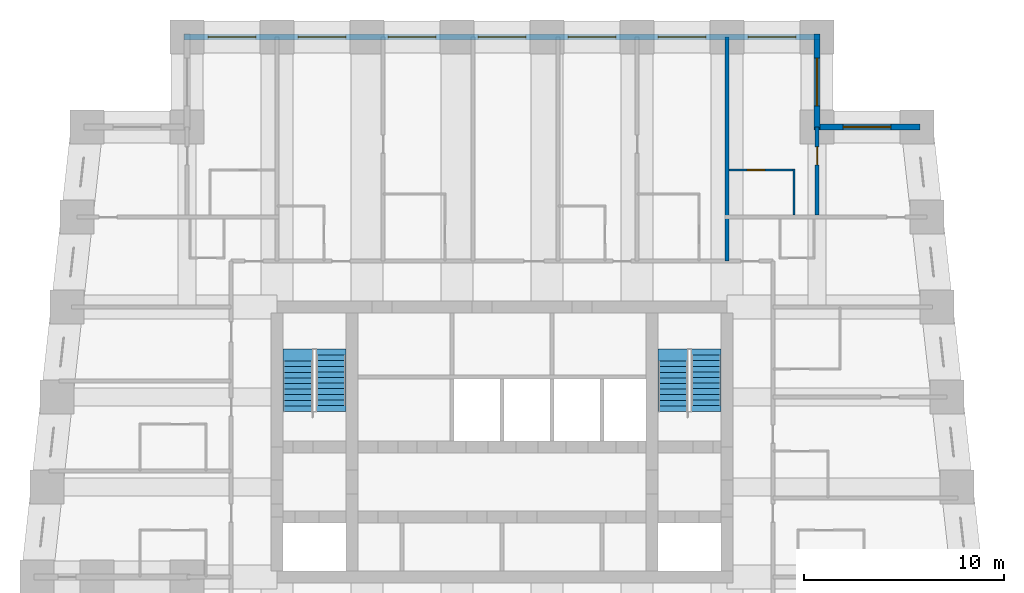
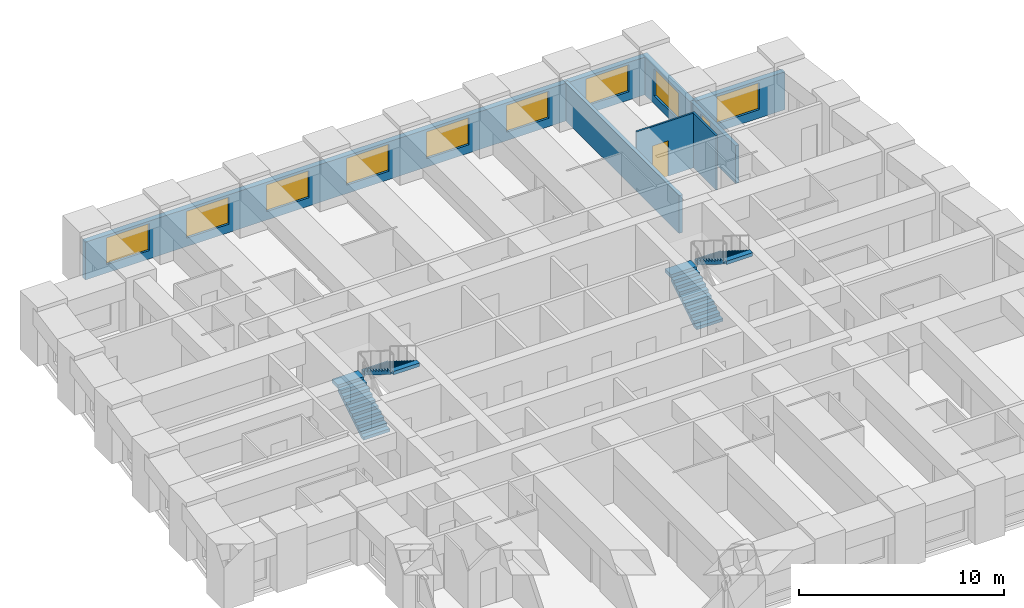
# One storey, part 7 of 8: 9 windows, 7 walls, 4 stair flights, 2 doors, 11 openings, 2 elements without a shape of their own.
"""IFC4 building model written with IfcOpenShell, lengths in metres."""

import ifcopenshell
import ifcopenshell.guid

model = None  # the IFC model being written
_history = None  # IfcOwnerHistory: only IFC2X3 demands one
_inside = {}  # id of a spatial element -> (the spatial element, [elements in it])
_under = {}  # id of a project, library or spatial element -> (it, [spatial elements below it])
_declared = {}  # id of a project -> (the project, [libraries it declares])
_typed = {}  # id of a type object -> (the type object, [elements of that type])
_made_of = {}  # id of a material, layer set ... -> (it, [elements and type objects made of it])


def new_model(schema):
    """Start an empty IFC model of exactly this schema.

    Asked for "IFC4X3", IfcOpenShell would pick the latest addendum, in which some entities
    have other attributes; the version numbers below select the first issue.
    IFC2X3 requires an IfcOwnerHistory on every rooted entity: one is made here for all.
    """
    global model, _history
    if schema == "IFC4X3":
        model = ifcopenshell.file(schema_version=(4, 3, 0, 0))
    else:
        model = ifcopenshell.file(schema=schema)
    _inside.clear()
    _under.clear()
    _declared.clear()
    _typed.clear()
    _made_of.clear()
    _history = None
    if model.schema == "IFC2X3":
        org = make("IfcOrganization", Name="unknown")
        user = make(
            "IfcPersonAndOrganization",
            ThePerson=make("IfcPerson", FamilyName="unknown"),
            TheOrganization=org,
        )
        app = make(
            "IfcApplication",
            ApplicationDeveloper=org,
            Version="unknown",
            ApplicationFullName="unknown",
            ApplicationIdentifier="unknown",
        )
        _history = make(
            "IfcOwnerHistory",
            OwningUser=user,
            OwningApplication=app,
            ChangeAction="ADDED",
            CreationDate=0,
        )
    return model


def make(cls, **values):
    """One entity of the class cls with the attributes given. An attribute that is None is left unset."""
    return model.create_entity(
        cls, **{name: value for name, value in values.items() if value is not None}
    )


def rooted(cls, **values):
    """An entity with a GlobalId (a new one), such as an element, a storey or a relation."""
    return make(cls, GlobalId=ifcopenshell.guid.new(), OwnerHistory=_history, **values)


def si_unit(unit_type, name, prefix=None):
    """IfcSIUnit, for example si_unit("LENGTHUNIT", "METRE", prefix="MILLI")."""
    return make("IfcSIUnit", UnitType=unit_type, Prefix=prefix, Name=name)


def assignment(units):
    """IfcUnitAssignment: the units of a project."""
    return None if units is None else make("IfcUnitAssignment", Units=units)


def point(xyz):
    """IfcCartesianPoint."""
    return None if xyz is None else make("IfcCartesianPoint", Coordinates=xyz)


def direction(xyz):
    """IfcDirection."""
    return None if xyz is None else make("IfcDirection", DirectionRatios=xyz)


def frame(location, z_axis=None, x_axis=None):
    """IfcAxis2Placement3D, a coordinate frame: its origin and axes. An axis left out is left unset."""
    return make(
        "IfcAxis2Placement3D",
        Location=point(location),
        Axis=direction(z_axis),
        RefDirection=direction(x_axis),
    )


def frame_2d(location, x_axis=None):
    """IfcAxis2Placement2D, a coordinate frame in the plane: its origin and x axis."""
    return make(
        "IfcAxis2Placement2D", Location=point(location), RefDirection=direction(x_axis)
    )


def origin():
    """The frame at (0, 0, 0) with its axes left unset."""
    return frame((0.0, 0.0, 0.0))


def place(relative_to, where):
    """IfcLocalPlacement: puts the frame where relative to a parent placement (None: the world)."""
    return make(
        "IfcLocalPlacement", PlacementRelTo=relative_to, RelativePlacement=where
    )


def context(
    kind, dimensions, precision=None, world=None, true_north=None, identifier=None
):
    """IfcGeometricRepresentationContext, for example the 3D "Model" context."""
    return make(
        "IfcGeometricRepresentationContext",
        ContextIdentifier=identifier,
        ContextType=kind,
        CoordinateSpaceDimension=dimensions,
        Precision=precision,
        WorldCoordinateSystem=world,
        TrueNorth=true_north,
    )


def subcontext(parent, identifier, kind, view, scale=None):
    """IfcGeometricRepresentationSubContext, for example "Body" below "Model"."""
    return make(
        "IfcGeometricRepresentationSubContext",
        ContextIdentifier=identifier,
        ContextType=kind,
        ParentContext=parent,
        TargetScale=scale,
        TargetView=view,
    )


def project(units=None, contexts=None):
    """IfcProject with its units and contexts."""
    return rooted(
        "IfcProject",
        Name="project",
        RepresentationContexts=contexts,
        UnitsInContext=assignment(units),
    )


def spatial(cls, under=None, at=None, **own):
    """A site, building, storey or space (cls), placed at a placement, below another one or the project."""
    s = rooted(cls, ObjectPlacement=at, **own)
    if under is not None:
        _under.setdefault(under.id(), (under, []))[1].append(s)
    return s


def polyline(points):
    """IfcPolyline through the points."""
    return make("IfcPolyline", Points=[point(p) for p in points])


def profile(cls, at=None, kind="AREA", **sizes):
    """A parametric profile (cls). Its sizes go by their IFC names, for example OverallWidth=200.0."""
    return make(cls, ProfileType=kind, Position=at, **sizes)


def rectangle(**sizes):
    """IfcRectangleProfileDef."""
    return profile("IfcRectangleProfileDef", **sizes)


def outline(outer, holes=None, kind="AREA"):
    """IfcArbitraryClosedProfileDef: a profile drawn as a closed curve; with holes, ...WithVoids."""
    if holes is None:
        return make("IfcArbitraryClosedProfileDef", ProfileType=kind, OuterCurve=outer)
    return make(
        "IfcArbitraryProfileDefWithVoids",
        ProfileType=kind,
        OuterCurve=outer,
        InnerCurves=holes,
    )


def extrude(swept, where, along, depth):
    """IfcExtrudedAreaSolid: the profile swept, set in the frame where, extruded along a direction by depth."""
    return make(
        "IfcExtrudedAreaSolid",
        SweptArea=swept,
        Position=where,
        ExtrudedDirection=direction(along),
        Depth=depth,
    )


def shape(context_of_items, identifier, shape_type, items):
    """IfcShapeRepresentation: the items that make up one representation, for example the "Body"."""
    return make(
        "IfcShapeRepresentation",
        ContextOfItems=context_of_items,
        RepresentationIdentifier=identifier,
        RepresentationType=shape_type,
        Items=items,
    )


def material(Name=None, Category=None):
    """IfcMaterial."""
    return make("IfcMaterial", Name=Name, Category=Category)


def layer(
    of_material, thickness, ventilated=None, Name=None, Category=None, Priority=None
):
    """IfcMaterialLayer: one layer of a wall or slab, of a material (None: an air gap)."""
    return make(
        "IfcMaterialLayer",
        Material=of_material,
        LayerThickness=thickness,
        IsVentilated=ventilated,
        Name=Name,
        Category=Category,
        Priority=Priority,
    )


def layer_set(layers, Name=None):
    """IfcMaterialLayerSet."""
    return make("IfcMaterialLayerSet", MaterialLayers=layers, LayerSetName=Name)


def made_of(thing, what):
    """Note that an element or type object is made of a material, layer set ...; save() writes the relation."""
    if what is not None:
        _made_of.setdefault(what.id(), (what, []))[1].append(thing)
    return thing


def type_object(cls, material=None, **own):
    """A type object (cls), such as IfcWallType, which elements share."""
    return made_of(rooted(cls, **own), material)


def element(
    cls,
    number,
    at=None,
    inside=None,
    cuts=None,
    type_object=None,
    material=None,
    context=None,
    identifier="Body",
    shape_type=None,
    held_by="IfcProductDefinitionShape",
    body=None,
    shapes=None,
    **own,
):
    """One element of the class cls, such as IfcWall. Its Tag is "e" and its number.

    at: its placement. inside: the storey or other place that contains it. cuts: it is an
    opening in that element (IfcRelVoidsElement). A single representation is given by context,
    identifier, shape_type and body (its items); several are given by shapes. held_by: the class
    of the entity that holds the representations. save() writes the other relations.
    """
    e = rooted(cls, Tag="e%d" % number, ObjectPlacement=at, **own)
    if body is not None:
        shapes = [shape(context, identifier, shape_type, body)]
    if shapes is not None:
        e.Representation = make(held_by, Representations=shapes)
    if inside is not None:
        _inside.setdefault(inside.id(), (inside, []))[1].append(e)
    if cuts is not None:
        rooted(
            "IfcRelVoidsElement", RelatingBuildingElement=cuts, RelatedOpeningElement=e
        )
    if type_object is not None:
        _typed.setdefault(type_object.id(), (type_object, []))[1].append(e)
    return made_of(e, material)


def fill(opening, filler):
    """IfcRelFillsElement: the door or window that sits in an opening."""
    return rooted(
        "IfcRelFillsElement",
        RelatingOpeningElement=opening,
        RelatedBuildingElement=filler,
    )


def aggregate(whole, parts):
    """IfcRelAggregates: a whole, such as a stair, and the parts it consists of."""
    return rooted("IfcRelAggregates", RelatingObject=whole, RelatedObjects=parts)


def save(model, path):
    """Write the relations noted so far, then the file.

    IfcRelAggregates (storeys below a building ...), IfcRelContainedInSpatialStructure (elements
    in a storey), IfcRelDefinesByType, IfcRelAssociatesMaterial and IfcRelDeclares: one each for
    every whole, place, type object, material and project.
    """
    for whole, parts in _under.values():
        aggregate(whole, parts)
    for where, things in _inside.values():
        rooted(
            "IfcRelContainedInSpatialStructure",
            RelatedElements=things,
            RelatingStructure=where,
        )
    for kind, things in _typed.values():
        rooted("IfcRelDefinesByType", RelatedObjects=things, RelatingType=kind)
    for what, things in _made_of.values():
        rooted("IfcRelAssociatesMaterial", RelatedObjects=things, RelatingMaterial=what)
    for by, libraries in _declared.values():
        rooted("IfcRelDeclares", RelatingContext=by, RelatedDefinitions=libraries)
    model.write(path)


model = new_model("IFC4")

# Units and contexts
model_context = context("Model", 3, precision=1e-05, world=origin(), true_north=direction((0.0, 1.0)))
body_context = subcontext(model_context, "Body", "Model", "MODEL_VIEW")
ifc_project = project(units=[si_unit("LENGTHUNIT", "METRE"), si_unit("AREAUNIT", "SQUARE_METRE"), si_unit("VOLUMEUNIT", "CUBIC_METRE"), si_unit("PLANEANGLEUNIT", "RADIAN"), si_unit("MASSUNIT", "GRAM", prefix="KILO")], contexts=[model_context])

# Site, building, storey
site_placement = place(None, origin())
site = spatial("IfcSite", under=ifc_project, at=site_placement, CompositionType="ELEMENT")
building_placement = place(site_placement, origin())
building = spatial("IfcBuilding", under=site, at=building_placement, Name="Kilele Tower Hotel", CompositionType="ELEMENT")
storey_placement = place(building_placement, frame((0.0, 0.0, 200.89990234375)))
storey = spatial("IfcBuildingStorey", under=building, at=storey_placement, Name="L52", CompositionType="ELEMENT", Elevation=200.89990234375)

# Wall
ifc_material_1 = material(Name="Moisture-resistant board")
ifc_layer_1 = layer(ifc_material_1, 0.10009765625)
ifc_layer_set_1 = layer_set([ifc_layer_1], Name="Moisture-resistant board")
wall_type_1 = type_object("IfcWallType", Name="Bathroom partition 100", PredefinedType="PLUMBINGWALL", material=ifc_layer_set_1)
wall_1_placement = place(storey_placement, frame((39.35009765625, 31.60009765625, 0.0), z_axis=(0.0, 0.0, 1.0), x_axis=(0.0, 1.0, 0.0)))
element("IfcWall", 1, at=wall_1_placement, inside=storey, type_object=wall_type_1, Name="Bathroom partition 100 L52", PredefinedType="PLUMBINGWALL", context=body_context, shape_type="SweptSolid", body=[
    extrude(rectangle(XDim=2.2998046875, YDim=0.10009765625, at=frame_2d((1.14990234375, 0.0))), origin(), (0.0, 0.0, 1.0), 3.25),
])

# Wall, opening, door
wall_2_placement = place(storey_placement, frame((36.10009765625, 33.85009765625, 0.0), z_axis=(0.0, 0.0, 1.0), x_axis=(1.0, 0.0, 0.0)))
wall_2 = element("IfcWall", 2, at=wall_2_placement, inside=storey, type_object=wall_type_1, Name="Bathroom partition 100 L52", PredefinedType="PLUMBINGWALL", context=body_context, shape_type="SweptSolid", body=[
    extrude(rectangle(XDim=3.2998046875, YDim=0.10009765625, at=frame_2d((1.64990234375, 0.0))), origin(), (0.0, 0.0, 1.0), 3.25),
])
opening_1_placement = place(wall_2_placement, frame((0.89990234375, 0.0, 0.0)))
opening_1 = element("IfcOpeningElement", 3, at=opening_1_placement, cuts=wall_2, Name="Opening D2A", PredefinedType="OPENING", context=body_context, shape_type="SweptSolid", body=[
    extrude(rectangle(XDim=0.89990234375, YDim=2.10009765625, at=frame_2d((0.449951171875, 1.050048828125))), frame((0.0, 0.06005859375, 0.0), z_axis=(0.0, -1.0, 0.0), x_axis=(1.0, 0.0, 0.0)), (0.0, 0.0, 1.0), 0.1201171875),
])
ifc_material_2 = material(Name="Timber door leaf in hardwood frame", Category="wood")
door_type_1 = type_object("IfcDoorType", Name="Bathroom door 900", OperationType="SINGLE_SWING_LEFT", PredefinedType="DOOR", material=ifc_material_2)
door_1_placement = place(opening_1_placement, origin())
door_1 = element("IfcDoor", 4, at=door_1_placement, inside=storey, type_object=door_type_1, Name="Bathroom door 5223B", OperationType="SINGLE_SWING_LEFT", OverallHeight=2.10009765625, OverallWidth=0.89990234375, PredefinedType="DOOR", context=body_context, shape_type="SweptSolid", body=[
    extrude(rectangle(XDim=0.89990234375, YDim=2.10009765625, at=frame_2d((0.449951171875, 1.050048828125))), frame((0.0, 0.02490234375, 0.0), z_axis=(0.0, -1.0, 0.0), x_axis=(1.0, 0.0, 0.0)), (0.0, 0.0, 1.0), 0.050048828125),
])
fill(opening_1, door_1)

ifc_material_3 = material(Name="Blockwork, plastered both sides", Category="masonry")
ifc_layer_2 = layer(ifc_material_3, 0.199951171875)
ifc_layer_set_2 = layer_set([ifc_layer_2], Name="Blockwork, plastered both sides")
wall_type_2 = type_object("IfcWallType", Name="Partition wall 200", PredefinedType="PARTITIONING", material=ifc_layer_set_2)
wall_3_placement = place(storey_placement, frame((40.5, 31.60009765625, 0.0), z_axis=(0.0, 0.0, 1.0), x_axis=(0.0, 1.0, 0.0)))
wall_3 = element("IfcWall", 5, at=wall_3_placement, inside=storey, type_object=wall_type_2, Name="Partition wall 200 L52", PredefinedType="PARTITIONING", context=body_context, shape_type="SweptSolid", body=[
    extrude(rectangle(XDim=4.39990234375, YDim=0.199951171875, at=frame_2d((2.199951171875, 0.0))), origin(), (0.0, 0.0, 1.0), 2.25),
])
opening_2_placement = place(wall_3_placement, frame((2.5, 0.0, 0.0)))
opening_2 = element("IfcOpeningElement", 6, at=opening_2_placement, cuts=wall_3, Name="Opening D3", PredefinedType="OPENING", context=body_context, shape_type="SweptSolid", body=[
    extrude(rectangle(XDim=0.89990234375, YDim=2.10009765625, at=frame_2d((0.449951171875, 1.050048828125))), frame((0.0, 0.10986328125, 0.0), z_axis=(0.0, -1.0, 0.0), x_axis=(1.0, 0.0, 0.0)), (0.0, 0.0, 1.0), 0.219970703125),
])
ifc_material_4 = material(Name="Timber door leaf in hardwood frame", Category="wood")
door_type_2 = type_object("IfcDoorType", Name="Suite internal door 900", OperationType="SINGLE_SWING_LEFT", PredefinedType="DOOR", material=ifc_material_4)
door_2_placement = place(opening_2_placement, origin())
door_2 = element("IfcDoor", 7, at=door_2_placement, inside=storey, type_object=door_type_2, Name="Suite door 5224", OperationType="SINGLE_SWING_RIGHT", OverallHeight=2.10009765625, OverallWidth=0.89990234375, PredefinedType="DOOR", context=body_context, shape_type="SweptSolid", body=[
    extrude(rectangle(XDim=0.89990234375, YDim=2.10009765625, at=frame_2d((0.449951171875, 1.050048828125))), frame((0.0, 0.02490234375, 0.0), z_axis=(0.0, -1.0, 0.0), x_axis=(1.0, 0.0, 0.0)), (0.0, 0.0, 1.0), 0.050048828125),
])
fill(opening_2, door_2)

# Wall
ifc_material_5 = material(Name="Blockwork, plastered both sides", Category="masonry")
ifc_layer_3 = layer(ifc_material_5, 0.199951171875)
ifc_layer_set_3 = layer_set([ifc_layer_3], Name="Blockwork, plastered both sides")
wall_type_3 = type_object("IfcWallType", Name="Party wall 200", PredefinedType="PARTITIONING", material=ifc_layer_set_3)
wall_4_placement = place(storey_placement, frame((36.0, 29.300048828125, 0.0), z_axis=(0.0, 0.0, 1.0), x_axis=(0.0, 1.0, 0.0)))
element("IfcWall", 8, at=wall_4_placement, inside=storey, type_object=wall_type_3, Name="Party wall 200 L52", PredefinedType="PARTITIONING", context=body_context, shape_type="SweptSolid", body=[
    extrude(rectangle(XDim=11.199951171875, YDim=0.199951171875, at=frame_2d((5.60009765625, 0.0))), origin(), (0.0, 0.0, 1.0), 2.25),
])

# Wall, opening, window
ifc_material_6 = material(Name="Concrete C40/50 precast", Category="concrete")
ifc_layer_4 = layer(ifc_material_6, 0.260009765625, Name="Precast backing", Category="LoadBearing")
ifc_material_7 = material(Name="Reconstituted stone finish", Category="masonry")
ifc_layer_5 = layer(ifc_material_7, 0.0400390625, Name="Face mix", Category="Finish")
ifc_layer_set_4 = layer_set([ifc_layer_4, ifc_layer_5], Name="Precast concrete C40/50, reconstituted stone finish")
wall_type_4 = type_object("IfcWallType", Name="Precast stone facade wall 300", PredefinedType="STANDARD", material=ifc_layer_set_4)
wall_5_placement = place(storey_placement, frame((45.64990234375, 36.0, 0.0), z_axis=(0.0, 0.0, 1.0), x_axis=(-1.0, 0.0, 0.0)))
wall_5 = element("IfcWall", 9, at=wall_5_placement, inside=storey, type_object=wall_type_4, Name="Facade wall L52 edge 7", PredefinedType="STANDARD", context=body_context, shape_type="SweptSolid", body=[
    extrude(rectangle(XDim=5.2998046875, YDim=0.300048828125, at=frame_2d((2.64990234375, 0.0))), origin(), (0.0, 0.0, 1.0), 2.25),
])
opening_3_placement = place(wall_5_placement, frame((1.449951171875, 0.0, 0.5)))
opening_3 = element("IfcOpeningElement", 10, at=opening_3_placement, cuts=wall_5, Name="Opening W3", PredefinedType="OPENING", context=body_context, shape_type="SweptSolid", body=[
    extrude(rectangle(XDim=2.39990234375, YDim=1.60009765625, at=frame_2d((1.199951171875, 0.800048828125))), frame((0.0, 0.159912109375, 0.0), z_axis=(0.0, -1.0, 0.0), x_axis=(1.0, 0.0, 0.0)), (0.0, 0.0, 1.0), 0.320068359375),
])
ifc_material_8 = material(Name="Aluminium frame, clear double glazing", Category="aluminium")
window_type = type_object("IfcWindowType", Name="Window W3 2400 x 1600", PartitioningType="SINGLE_PANEL", PredefinedType="WINDOW", material=ifc_material_8)
window_1_placement = place(opening_3_placement, origin())
window_1 = element("IfcWindow", 11, at=window_1_placement, inside=storey, type_object=window_type, Name="Window L52", OverallHeight=1.60009765625, OverallWidth=2.39990234375, PartitioningType="SINGLE_PANEL", PredefinedType="WINDOW", context=body_context, shape_type="SweptSolid", body=[
    extrude(rectangle(XDim=2.39990234375, YDim=1.60009765625, at=frame_2d((1.199951171875, 0.800048828125))), frame((0.0, 0.030029296875, 0.0), z_axis=(0.0, -1.0, 0.0), x_axis=(1.0, 0.0, 0.0)), (0.0, 0.0, 1.0), 0.06005859375),
])
fill(opening_3, window_1)

wall_6_placement = place(storey_placement, frame((40.5, 35.85009765625, 0.0), z_axis=(0.0, 0.0, 1.0), x_axis=(0.0, 1.0, 0.0)))
wall_6 = element("IfcWall", 12, at=wall_6_placement, inside=storey, type_object=wall_type_4, Name="Facade wall L52 edge 8", PredefinedType="STANDARD", context=body_context, shape_type="SweptSolid", body=[
    extrude(rectangle(XDim=4.7998046875, YDim=0.300048828125, at=frame_2d((2.39990234375, 0.0))), origin(), (0.0, 0.0, 1.0), 2.25),
])
opening_4_placement = place(wall_6_placement, frame((1.199951171875, 0.0, 0.5)))
opening_4 = element("IfcOpeningElement", 13, at=opening_4_placement, cuts=wall_6, Name="Opening W3", PredefinedType="OPENING", context=body_context, shape_type="SweptSolid", body=[
    extrude(rectangle(XDim=2.39990234375, YDim=1.60009765625, at=frame_2d((1.199951171875, 0.800048828125))), frame((0.0, 0.159912109375, 0.0), z_axis=(0.0, -1.0, 0.0), x_axis=(1.0, 0.0, 0.0)), (0.0, 0.0, 1.0), 0.320068359375),
])
window_2_placement = place(opening_4_placement, origin())
window_2 = element("IfcWindow", 14, at=window_2_placement, inside=storey, type_object=window_type, Name="Window L52", OverallHeight=1.60009765625, OverallWidth=2.39990234375, PartitioningType="SINGLE_PANEL", PredefinedType="WINDOW", context=body_context, shape_type="SweptSolid", body=[
    extrude(rectangle(XDim=2.39990234375, YDim=1.60009765625, at=frame_2d((1.199951171875, 0.800048828125))), frame((0.0, 0.030029296875, 0.0), z_axis=(0.0, -1.0, 0.0), x_axis=(1.0, 0.0, 0.0)), (0.0, 0.0, 1.0), 0.06005859375),
])
fill(opening_4, window_2)

# Wall, openings, windows
wall_7_placement = place(storey_placement, frame((40.64990234375, 40.5, 0.0), z_axis=(0.0, 0.0, 1.0), x_axis=(-1.0, 0.0, 0.0)))
wall_7 = element("IfcWall", 15, at=wall_7_placement, inside=storey, type_object=wall_type_4, Name="Facade wall L52 edge 9", PredefinedType="STANDARD", context=body_context, shape_type="SweptSolid", body=[
    extrude(rectangle(XDim=31.7998046875, YDim=0.300048828125, at=frame_2d((15.89990234375, 0.0))), origin(), (0.0, 0.0, 1.0), 2.25),
])
opening_5_placement = place(wall_7_placement, frame((1.199951171875, 0.0, 0.5)))
opening_5 = element("IfcOpeningElement", 16, at=opening_5_placement, cuts=wall_7, Name="Opening W3", PredefinedType="OPENING", context=body_context, shape_type="SweptSolid", body=[
    extrude(rectangle(XDim=2.39990234375, YDim=1.60009765625, at=frame_2d((1.199951171875, 0.800048828125))), frame((0.0, 0.159912109375, 0.0), z_axis=(0.0, -1.0, 0.0), x_axis=(1.0, 0.0, 0.0)), (0.0, 0.0, 1.0), 0.320068359375),
])
opening_6_placement = place(wall_7_placement, frame((5.699951171875, 0.0, 0.5)))
opening_6 = element("IfcOpeningElement", 17, at=opening_6_placement, cuts=wall_7, Name="Opening W3", PredefinedType="OPENING", context=body_context, shape_type="SweptSolid", body=[
    extrude(rectangle(XDim=2.39990234375, YDim=1.60009765625, at=frame_2d((1.199951171875, 0.800048828125))), frame((0.0, 0.159912109375, 0.0), z_axis=(0.0, -1.0, 0.0), x_axis=(1.0, 0.0, 0.0)), (0.0, 0.0, 1.0), 0.320068359375),
])
opening_7_placement = place(wall_7_placement, frame((10.199951171875, 0.0, 0.5)))
opening_7 = element("IfcOpeningElement", 18, at=opening_7_placement, cuts=wall_7, Name="Opening W3", PredefinedType="OPENING", context=body_context, shape_type="SweptSolid", body=[
    extrude(rectangle(XDim=2.39990234375, YDim=1.60009765625, at=frame_2d((1.199951171875, 0.800048828125))), frame((0.0, 0.159912109375, 0.0), z_axis=(0.0, -1.0, 0.0), x_axis=(1.0, 0.0, 0.0)), (0.0, 0.0, 1.0), 0.320068359375),
])
opening_8_placement = place(wall_7_placement, frame((14.699951171875, 0.0, 0.5)))
opening_8 = element("IfcOpeningElement", 19, at=opening_8_placement, cuts=wall_7, Name="Opening W3", PredefinedType="OPENING", context=body_context, shape_type="SweptSolid", body=[
    extrude(rectangle(XDim=2.39990234375, YDim=1.60009765625, at=frame_2d((1.199951171875, 0.800048828125))), frame((0.0, 0.159912109375, 0.0), z_axis=(0.0, -1.0, 0.0), x_axis=(1.0, 0.0, 0.0)), (0.0, 0.0, 1.0), 0.320068359375),
])
opening_9_placement = place(wall_7_placement, frame((19.199951171875, 0.0, 0.5)))
opening_9 = element("IfcOpeningElement", 20, at=opening_9_placement, cuts=wall_7, Name="Opening W3", PredefinedType="OPENING", context=body_context, shape_type="SweptSolid", body=[
    extrude(rectangle(XDim=2.39990234375, YDim=1.60009765625, at=frame_2d((1.199951171875, 0.800048828125))), frame((0.0, 0.159912109375, 0.0), z_axis=(0.0, -1.0, 0.0), x_axis=(1.0, 0.0, 0.0)), (0.0, 0.0, 1.0), 0.320068359375),
])
opening_10_placement = place(wall_7_placement, frame((23.699951171875, 0.0, 0.5)))
opening_10 = element("IfcOpeningElement", 21, at=opening_10_placement, cuts=wall_7, Name="Opening W3", PredefinedType="OPENING", context=body_context, shape_type="SweptSolid", body=[
    extrude(rectangle(XDim=2.39990234375, YDim=1.60009765625, at=frame_2d((1.199951171875, 0.800048828125))), frame((0.0, 0.159912109375, 0.0), z_axis=(0.0, -1.0, 0.0), x_axis=(1.0, 0.0, 0.0)), (0.0, 0.0, 1.0), 0.320068359375),
])
opening_11_placement = place(wall_7_placement, frame((28.199951171875, 0.0, 0.5)))
opening_11 = element("IfcOpeningElement", 22, at=opening_11_placement, cuts=wall_7, Name="Opening W3", PredefinedType="OPENING", context=body_context, shape_type="SweptSolid", body=[
    extrude(rectangle(XDim=2.39990234375, YDim=1.60009765625, at=frame_2d((1.199951171875, 0.800048828125))), frame((0.0, 0.159912109375, 0.0), z_axis=(0.0, -1.0, 0.0), x_axis=(1.0, 0.0, 0.0)), (0.0, 0.0, 1.0), 0.320068359375),
])
window_3_placement = place(opening_5_placement, origin())
window_3 = element("IfcWindow", 23, at=window_3_placement, inside=storey, type_object=window_type, Name="Window L52", OverallHeight=1.60009765625, OverallWidth=2.39990234375, PartitioningType="SINGLE_PANEL", PredefinedType="WINDOW", context=body_context, shape_type="SweptSolid", body=[
    extrude(rectangle(XDim=2.39990234375, YDim=1.60009765625, at=frame_2d((1.199951171875, 0.800048828125))), frame((0.0, 0.030029296875, 0.0), z_axis=(0.0, -1.0, 0.0), x_axis=(1.0, 0.0, 0.0)), (0.0, 0.0, 1.0), 0.06005859375),
])
fill(opening_5, window_3)
window_4_placement = place(opening_6_placement, origin())
window_4 = element("IfcWindow", 24, at=window_4_placement, inside=storey, type_object=window_type, Name="Window L52", OverallHeight=1.60009765625, OverallWidth=2.39990234375, PartitioningType="SINGLE_PANEL", PredefinedType="WINDOW", context=body_context, shape_type="SweptSolid", body=[
    extrude(rectangle(XDim=2.39990234375, YDim=1.60009765625, at=frame_2d((1.199951171875, 0.800048828125))), frame((0.0, 0.030029296875, 0.0), z_axis=(0.0, -1.0, 0.0), x_axis=(1.0, 0.0, 0.0)), (0.0, 0.0, 1.0), 0.06005859375),
])
fill(opening_6, window_4)
window_5_placement = place(opening_7_placement, origin())
window_5 = element("IfcWindow", 25, at=window_5_placement, inside=storey, type_object=window_type, Name="Window L52", OverallHeight=1.60009765625, OverallWidth=2.39990234375, PartitioningType="SINGLE_PANEL", PredefinedType="WINDOW", context=body_context, shape_type="SweptSolid", body=[
    extrude(rectangle(XDim=2.39990234375, YDim=1.60009765625, at=frame_2d((1.199951171875, 0.800048828125))), frame((0.0, 0.030029296875, 0.0), z_axis=(0.0, -1.0, 0.0), x_axis=(1.0, 0.0, 0.0)), (0.0, 0.0, 1.0), 0.06005859375),
])
fill(opening_7, window_5)
window_6_placement = place(opening_8_placement, origin())
window_6 = element("IfcWindow", 26, at=window_6_placement, inside=storey, type_object=window_type, Name="Window L52", OverallHeight=1.60009765625, OverallWidth=2.39990234375, PartitioningType="SINGLE_PANEL", PredefinedType="WINDOW", context=body_context, shape_type="SweptSolid", body=[
    extrude(rectangle(XDim=2.39990234375, YDim=1.60009765625, at=frame_2d((1.199951171875, 0.800048828125))), frame((0.0, 0.030029296875, 0.0), z_axis=(0.0, -1.0, 0.0), x_axis=(1.0, 0.0, 0.0)), (0.0, 0.0, 1.0), 0.06005859375),
])
fill(opening_8, window_6)
window_7_placement = place(opening_9_placement, origin())
window_7 = element("IfcWindow", 27, at=window_7_placement, inside=storey, type_object=window_type, Name="Window L52", OverallHeight=1.60009765625, OverallWidth=2.39990234375, PartitioningType="SINGLE_PANEL", PredefinedType="WINDOW", context=body_context, shape_type="SweptSolid", body=[
    extrude(rectangle(XDim=2.39990234375, YDim=1.60009765625, at=frame_2d((1.199951171875, 0.800048828125))), frame((0.0, 0.030029296875, 0.0), z_axis=(0.0, -1.0, 0.0), x_axis=(1.0, 0.0, 0.0)), (0.0, 0.0, 1.0), 0.06005859375),
])
fill(opening_9, window_7)
window_8_placement = place(opening_10_placement, origin())
window_8 = element("IfcWindow", 28, at=window_8_placement, inside=storey, type_object=window_type, Name="Window L52", OverallHeight=1.60009765625, OverallWidth=2.39990234375, PartitioningType="SINGLE_PANEL", PredefinedType="WINDOW", context=body_context, shape_type="SweptSolid", body=[
    extrude(rectangle(XDim=2.39990234375, YDim=1.60009765625, at=frame_2d((1.199951171875, 0.800048828125))), frame((0.0, 0.030029296875, 0.0), z_axis=(0.0, -1.0, 0.0), x_axis=(1.0, 0.0, 0.0)), (0.0, 0.0, 1.0), 0.06005859375),
])
fill(opening_10, window_8)
window_9_placement = place(opening_11_placement, origin())
window_9 = element("IfcWindow", 29, at=window_9_placement, inside=storey, type_object=window_type, Name="Window L52", OverallHeight=1.60009765625, OverallWidth=2.39990234375, PartitioningType="SINGLE_PANEL", PredefinedType="WINDOW", context=body_context, shape_type="SweptSolid", body=[
    extrude(rectangle(XDim=2.39990234375, YDim=1.60009765625, at=frame_2d((1.199951171875, 0.800048828125))), frame((0.0, 0.030029296875, 0.0), z_axis=(0.0, -1.0, 0.0), x_axis=(1.0, 0.0, 0.0)), (0.0, 0.0, 1.0), 0.06005859375),
])
fill(opening_11, window_9)

# Stair, stair flights
ifc_material_9 = material(Name="Precast concrete C40/50", Category="concrete")
stair_type = type_object("IfcStairType", Name="Stair 1475 x 3500", PredefinedType="HALF_TURN_STAIR", material=ifc_material_9)
stair_1_placement = place(storey_placement, origin())
stair_1 = element("IfcStair", 30, at=stair_1_placement, inside=storey, type_object=stair_type, Name="Stair 1 L52", PredefinedType="HALF_TURN_STAIR")
ifc_material_10 = material(Name="Precast concrete C40/50", Category="concrete")
stair_flight_type = type_object("IfcStairFlightType", Name="Flight 1475 riser 175.0", PredefinedType="STRAIGHT", material=ifc_material_10)
stair_flight_1_placement = place(storey_placement, frame((14.53759765625, 21.77490234375, 0.0), z_axis=(0.0, 0.0, 1.0), x_axis=(0.0, 1.0, 0.0)))
stair_flight_1 = element("IfcStairFlight", 31, at=stair_flight_1_placement, type_object=stair_flight_type, Name="ST1 flight 1", NumberOfRisers=10, NumberOfTreads=9, PredefinedType="STRAIGHT", RiserHeight=0.175, TreadLength=0.28, context=body_context, shape_type="SweptSolid", body=[
    extrude(outline(polyline([(0.0, 0.0), (0.0, 0.175048828125), (0.280029296875, 0.175048828125), (0.280029296875, 0.35009765625), (0.56005859375, 0.35009765625), (0.56005859375, 0.52490234375), (0.840087890625, 0.52490234375), (0.840087890625, 0.699951171875), (1.1201171875, 0.699951171875), (1.1201171875, 0.875), (1.39990234375, 0.875), (1.39990234375, 1.050048828125), (1.679931640625, 1.050048828125), (1.679931640625, 1.22509765625), (1.9599609375, 1.22509765625), (1.9599609375, 1.39990234375), (2.239990234375, 1.39990234375), (2.239990234375, 1.574951171875), (2.52001953125, 1.574951171875), (2.52001953125, 1.75), (2.52001953125, 1.398193359375), (0.28271484375, 0.0), (0.0, 0.0)])), frame((0.0, 0.737548828125, 0.0), z_axis=(0.0, -1.0, 0.0), x_axis=(1.0, 0.0, 0.0)), (0.0, 0.0, 1.0), 1.47509765625),
    extrude(outline(polyline([(2.52001953125, 0.737548828125), (2.52001953125, -0.7373046875), (3.1201171875, -0.7373046875), (3.1201171875, 0.737548828125), (2.52001953125, 0.737548828125)])), frame((0.0, 0.0, 1.550048828125)), (0.0, 0.0, 1.0), 0.199951171875),
])
stair_flight_2_placement = place(storey_placement, frame((16.21240234375, 24.594970703125, 1.75), z_axis=(0.0, 0.0, 1.0), x_axis=(0.0, -1.0, 0.0)))
stair_flight_2 = element("IfcStairFlight", 32, at=stair_flight_2_placement, type_object=stair_flight_type, Name="ST1 flight 2", NumberOfRisers=10, NumberOfTreads=9, PredefinedType="STRAIGHT", RiserHeight=0.175, TreadLength=0.28, context=body_context, shape_type="SweptSolid", body=[
    extrude(outline(polyline([(0.0, 0.0), (0.0, 0.175048828125), (0.280029296875, 0.175048828125), (0.280029296875, 0.35009765625), (0.56005859375, 0.35009765625), (0.56005859375, 0.52490234375), (0.840087890625, 0.52490234375), (0.840087890625, 0.699951171875), (1.1201171875, 0.699951171875), (1.1201171875, 0.875), (1.39990234375, 0.875), (1.39990234375, 1.050048828125), (1.679931640625, 1.050048828125), (1.679931640625, 1.22509765625), (1.9599609375, 1.22509765625), (1.9599609375, 1.39990234375), (2.239990234375, 1.39990234375), (2.239990234375, 1.574951171875), (2.52001953125, 1.574951171875), (2.52001953125, 1.75), (2.52001953125, 1.398193359375), (0.28271484375, 0.0), (0.0, 0.0)])), frame((0.0, 0.737548828125, 0.0), z_axis=(0.0, -1.0, 0.0), x_axis=(1.0, 0.0, 0.0)), (0.0, 0.0, 1.0), 1.47509765625),
    extrude(outline(polyline([(0.0, -0.7373046875), (0.0, 0.737548828125), (-0.300048828125, 0.737548828125), (-0.300048828125, -0.7373046875), (0.0, -0.7373046875)])), frame((0.0, 0.0, -0.199951171875)), (0.0, 0.0, 1.0), 0.199951171875),
    extrude(outline(polyline([(2.820068359375, -0.7373046875), (2.820068359375, 0.737548828125), (2.52001953125, 0.737548828125), (2.52001953125, -0.7373046875), (2.820068359375, -0.7373046875)])), frame((0.0, 0.0, 1.550048828125)), (0.0, 0.0, 1.0), 0.199951171875),
])
aggregate(stair_1, [stair_flight_1, stair_flight_2])

stair_2_placement = place(storey_placement, origin())
stair_2 = element("IfcStair", 33, at=stair_2_placement, inside=storey, type_object=stair_type, Name="Stair 2 L52", PredefinedType="HALF_TURN_STAIR")
stair_flight_3_placement = place(storey_placement, frame((33.28759765625, 21.77490234375, 0.0), z_axis=(0.0, 0.0, 1.0), x_axis=(0.0, 1.0, 0.0)))
stair_flight_3 = element("IfcStairFlight", 34, at=stair_flight_3_placement, type_object=stair_flight_type, Name="ST2 flight 1", NumberOfRisers=10, NumberOfTreads=9, PredefinedType="STRAIGHT", RiserHeight=0.175, TreadLength=0.28, context=body_context, shape_type="SweptSolid", body=[
    extrude(outline(polyline([(0.0, 0.0), (0.0, 0.175048828125), (0.280029296875, 0.175048828125), (0.280029296875, 0.35009765625), (0.56005859375, 0.35009765625), (0.56005859375, 0.52490234375), (0.840087890625, 0.52490234375), (0.840087890625, 0.699951171875), (1.1201171875, 0.699951171875), (1.1201171875, 0.875), (1.39990234375, 0.875), (1.39990234375, 1.050048828125), (1.679931640625, 1.050048828125), (1.679931640625, 1.22509765625), (1.9599609375, 1.22509765625), (1.9599609375, 1.39990234375), (2.239990234375, 1.39990234375), (2.239990234375, 1.574951171875), (2.52001953125, 1.574951171875), (2.52001953125, 1.75), (2.52001953125, 1.398193359375), (0.28271484375, 0.0), (0.0, 0.0)])), frame((0.0, 0.737548828125, 0.0), z_axis=(0.0, -1.0, 0.0), x_axis=(1.0, 0.0, 0.0)), (0.0, 0.0, 1.0), 1.47509765625),
    extrude(outline(polyline([(2.52001953125, 0.737548828125), (2.52001953125, -0.7373046875), (3.1201171875, -0.7373046875), (3.1201171875, 0.737548828125), (2.52001953125, 0.737548828125)])), frame((0.0, 0.0, 1.550048828125)), (0.0, 0.0, 1.0), 0.199951171875),
])
stair_flight_4_placement = place(storey_placement, frame((34.96240234375, 24.594970703125, 1.75), z_axis=(0.0, 0.0, 1.0), x_axis=(0.0, -1.0, 0.0)))
stair_flight_4 = element("IfcStairFlight", 35, at=stair_flight_4_placement, type_object=stair_flight_type, Name="ST2 flight 2", NumberOfRisers=10, NumberOfTreads=9, PredefinedType="STRAIGHT", RiserHeight=0.175, TreadLength=0.28, context=body_context, shape_type="SweptSolid", body=[
    extrude(outline(polyline([(0.0, 0.0), (0.0, 0.175048828125), (0.280029296875, 0.175048828125), (0.280029296875, 0.35009765625), (0.56005859375, 0.35009765625), (0.56005859375, 0.52490234375), (0.840087890625, 0.52490234375), (0.840087890625, 0.699951171875), (1.1201171875, 0.699951171875), (1.1201171875, 0.875), (1.39990234375, 0.875), (1.39990234375, 1.050048828125), (1.679931640625, 1.050048828125), (1.679931640625, 1.22509765625), (1.9599609375, 1.22509765625), (1.9599609375, 1.39990234375), (2.239990234375, 1.39990234375), (2.239990234375, 1.574951171875), (2.52001953125, 1.574951171875), (2.52001953125, 1.75), (2.52001953125, 1.398193359375), (0.28271484375, 0.0), (0.0, 0.0)])), frame((0.0, 0.737548828125, 0.0), z_axis=(0.0, -1.0, 0.0), x_axis=(1.0, 0.0, 0.0)), (0.0, 0.0, 1.0), 1.47509765625),
    extrude(outline(polyline([(0.0, -0.7373046875), (0.0, 0.737548828125), (-0.300048828125, 0.737548828125), (-0.300048828125, -0.7373046875), (0.0, -0.7373046875)])), frame((0.0, 0.0, -0.199951171875)), (0.0, 0.0, 1.0), 0.199951171875),
    extrude(outline(polyline([(2.820068359375, -0.7373046875), (2.820068359375, 0.737548828125), (2.52001953125, 0.737548828125), (2.52001953125, -0.7373046875), (2.820068359375, -0.7373046875)])), frame((0.0, 0.0, 1.550048828125)), (0.0, 0.0, 1.0), 0.199951171875),
])
aggregate(stair_2, [stair_flight_3, stair_flight_4])

save(model, "model.ifc")
